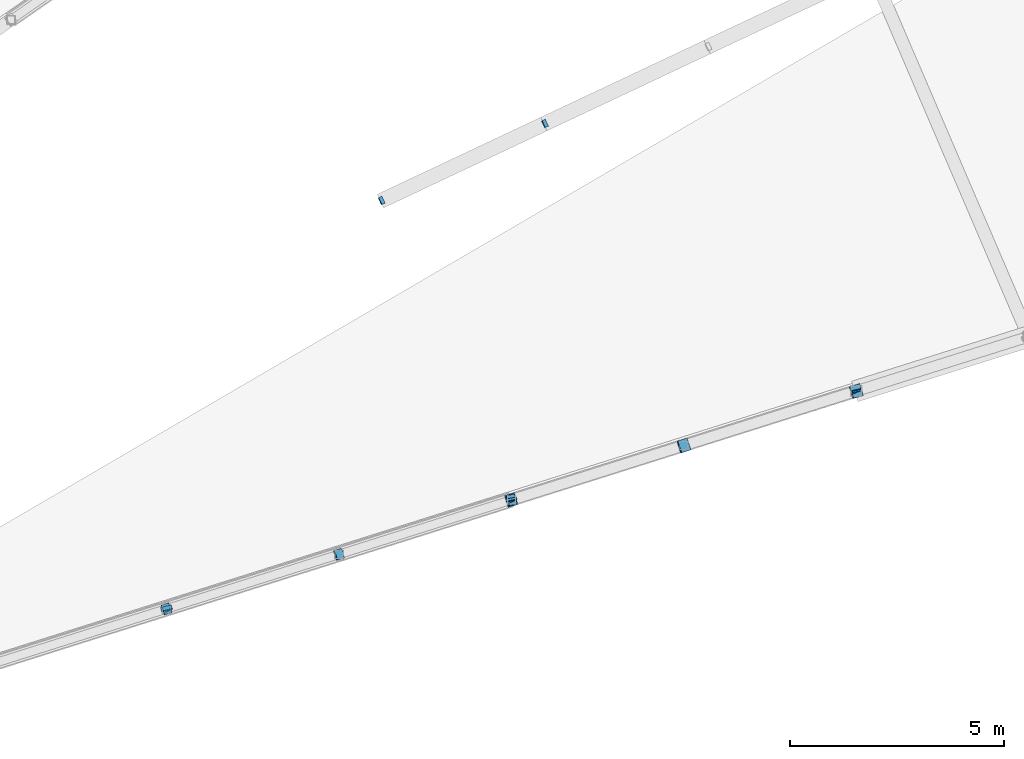
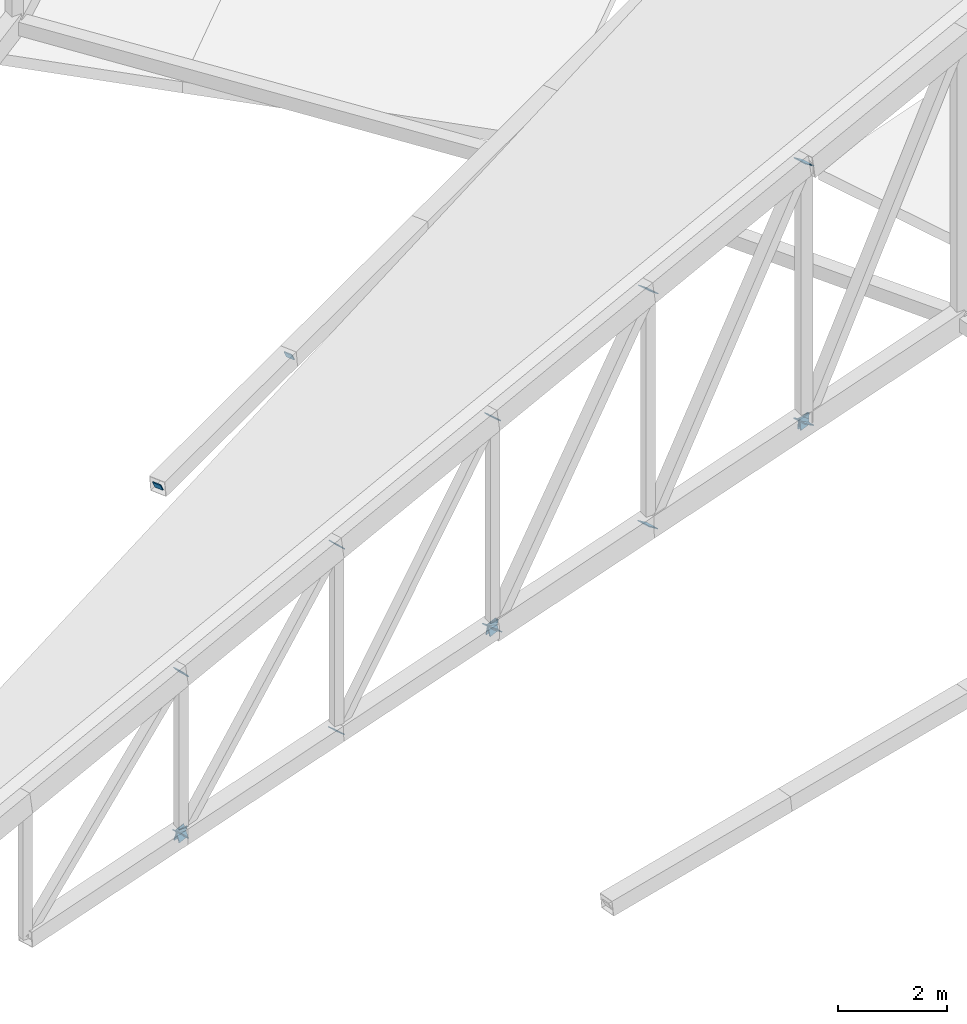
# One storey, part 181 of 188: 18 discrete accessories.
"""IFC4 building model written with IfcOpenShell, lengths in metres."""

import ifcopenshell
import ifcopenshell.guid

model = None  # the IFC model being written
_history = None  # IfcOwnerHistory: only IFC2X3 demands one
_inside = {}  # id of a spatial element -> (the spatial element, [elements in it])
_under = {}  # id of a project, library or spatial element -> (it, [spatial elements below it])
_declared = {}  # id of a project -> (the project, [libraries it declares])
_typed = {}  # id of a type object -> (the type object, [elements of that type])
_made_of = {}  # id of a material, layer set ... -> (it, [elements and type objects made of it])


def new_model(schema):
    """Start an empty IFC model of exactly this schema.

    Asked for "IFC4X3", IfcOpenShell would pick the latest addendum, in which some entities
    have other attributes; the version numbers below select the first issue.
    IFC2X3 requires an IfcOwnerHistory on every rooted entity: one is made here for all.
    """
    global model, _history
    if schema == "IFC4X3":
        model = ifcopenshell.file(schema_version=(4, 3, 0, 0))
    else:
        model = ifcopenshell.file(schema=schema)
    _inside.clear()
    _under.clear()
    _declared.clear()
    _typed.clear()
    _made_of.clear()
    _history = None
    if model.schema == "IFC2X3":
        org = make("IfcOrganization", Name="unknown")
        user = make(
            "IfcPersonAndOrganization",
            ThePerson=make("IfcPerson", FamilyName="unknown"),
            TheOrganization=org,
        )
        app = make(
            "IfcApplication",
            ApplicationDeveloper=org,
            Version="unknown",
            ApplicationFullName="unknown",
            ApplicationIdentifier="unknown",
        )
        _history = make(
            "IfcOwnerHistory",
            OwningUser=user,
            OwningApplication=app,
            ChangeAction="ADDED",
            CreationDate=0,
        )
    return model


def make(cls, **values):
    """One entity of the class cls with the attributes given. An attribute that is None is left unset."""
    return model.create_entity(
        cls, **{name: value for name, value in values.items() if value is not None}
    )


def rooted(cls, **values):
    """An entity with a GlobalId (a new one), such as an element, a storey or a relation."""
    return make(cls, GlobalId=ifcopenshell.guid.new(), OwnerHistory=_history, **values)


def si_unit(unit_type, name, prefix=None):
    """IfcSIUnit, for example si_unit("LENGTHUNIT", "METRE", prefix="MILLI")."""
    return make("IfcSIUnit", UnitType=unit_type, Prefix=prefix, Name=name)


def assignment(units):
    """IfcUnitAssignment: the units of a project."""
    return None if units is None else make("IfcUnitAssignment", Units=units)


def point(xyz):
    """IfcCartesianPoint."""
    return None if xyz is None else make("IfcCartesianPoint", Coordinates=xyz)


def direction(xyz):
    """IfcDirection."""
    return None if xyz is None else make("IfcDirection", DirectionRatios=xyz)


def frame(location, z_axis=None, x_axis=None):
    """IfcAxis2Placement3D, a coordinate frame: its origin and axes. An axis left out is left unset."""
    return make(
        "IfcAxis2Placement3D",
        Location=point(location),
        Axis=direction(z_axis),
        RefDirection=direction(x_axis),
    )


def frame_2d(location, x_axis=None):
    """IfcAxis2Placement2D, a coordinate frame in the plane: its origin and x axis."""
    return make(
        "IfcAxis2Placement2D", Location=point(location), RefDirection=direction(x_axis)
    )


def origin():
    """The frame at (0, 0, 0) with its axes left unset."""
    return frame((0.0, 0.0, 0.0))


def origin_2d():
    """The frame at (0, 0) in the plane with its x axis left unset."""
    return frame_2d((0.0, 0.0))


def place(relative_to, where):
    """IfcLocalPlacement: puts the frame where relative to a parent placement (None: the world)."""
    return make(
        "IfcLocalPlacement", PlacementRelTo=relative_to, RelativePlacement=where
    )


def context(
    kind, dimensions, precision=None, world=None, true_north=None, identifier=None
):
    """IfcGeometricRepresentationContext, for example the 3D "Model" context."""
    return make(
        "IfcGeometricRepresentationContext",
        ContextIdentifier=identifier,
        ContextType=kind,
        CoordinateSpaceDimension=dimensions,
        Precision=precision,
        WorldCoordinateSystem=world,
        TrueNorth=true_north,
    )


def subcontext(parent, identifier, kind, view, scale=None):
    """IfcGeometricRepresentationSubContext, for example "Body" below "Model"."""
    return make(
        "IfcGeometricRepresentationSubContext",
        ContextIdentifier=identifier,
        ContextType=kind,
        ParentContext=parent,
        TargetScale=scale,
        TargetView=view,
    )


def project(units=None, contexts=None):
    """IfcProject with its units and contexts."""
    return rooted(
        "IfcProject",
        Name="project",
        RepresentationContexts=contexts,
        UnitsInContext=assignment(units),
    )


def spatial(cls, under=None, at=None, **own):
    """A site, building, storey or space (cls), placed at a placement, below another one or the project."""
    s = rooted(cls, ObjectPlacement=at, **own)
    if under is not None:
        _under.setdefault(under.id(), (under, []))[1].append(s)
    return s


def profile(cls, at=None, kind="AREA", **sizes):
    """A parametric profile (cls). Its sizes go by their IFC names, for example OverallWidth=200.0."""
    return make(cls, ProfileType=kind, Position=at, **sizes)


def rectangle(**sizes):
    """IfcRectangleProfileDef."""
    return profile("IfcRectangleProfileDef", **sizes)


def extrude(swept, where, along, depth):
    """IfcExtrudedAreaSolid: the profile swept, set in the frame where, extruded along a direction by depth."""
    return make(
        "IfcExtrudedAreaSolid",
        SweptArea=swept,
        Position=where,
        ExtrudedDirection=direction(along),
        Depth=depth,
    )


def shape(context_of_items, identifier, shape_type, items):
    """IfcShapeRepresentation: the items that make up one representation, for example the "Body"."""
    return make(
        "IfcShapeRepresentation",
        ContextOfItems=context_of_items,
        RepresentationIdentifier=identifier,
        RepresentationType=shape_type,
        Items=items,
    )


def material(Name=None, Category=None):
    """IfcMaterial."""
    return make("IfcMaterial", Name=Name, Category=Category)


def material_profile(
    of_material, cross_section, Name=None, Category=None, Priority=None
):
    """IfcMaterialProfile: a cross section and its material."""
    return make(
        "IfcMaterialProfile",
        Name=Name,
        Material=of_material,
        Profile=cross_section,
        Priority=Priority,
        Category=Category,
    )


def profile_set(profiles, Name=None, composite=None):
    """IfcMaterialProfileSet."""
    return make(
        "IfcMaterialProfileSet",
        Name=Name,
        MaterialProfiles=profiles,
        CompositeProfile=composite,
    )


def made_of(thing, what):
    """Note that an element or type object is made of a material, layer set ...; save() writes the relation."""
    if what is not None:
        _made_of.setdefault(what.id(), (what, []))[1].append(thing)
    return thing


def type_object(cls, material=None, **own):
    """A type object (cls), such as IfcWallType, which elements share."""
    return made_of(rooted(cls, **own), material)


def element(
    cls,
    number,
    at=None,
    inside=None,
    cuts=None,
    type_object=None,
    material=None,
    context=None,
    identifier="Body",
    shape_type=None,
    held_by="IfcProductDefinitionShape",
    body=None,
    shapes=None,
    **own,
):
    """One element of the class cls, such as IfcWall. Its Tag is "e" and its number.

    at: its placement. inside: the storey or other place that contains it. cuts: it is an
    opening in that element (IfcRelVoidsElement). A single representation is given by context,
    identifier, shape_type and body (its items); several are given by shapes. held_by: the class
    of the entity that holds the representations. save() writes the other relations.
    """
    e = rooted(cls, Tag="e%d" % number, ObjectPlacement=at, **own)
    if body is not None:
        shapes = [shape(context, identifier, shape_type, body)]
    if shapes is not None:
        e.Representation = make(held_by, Representations=shapes)
    if inside is not None:
        _inside.setdefault(inside.id(), (inside, []))[1].append(e)
    if cuts is not None:
        rooted(
            "IfcRelVoidsElement", RelatingBuildingElement=cuts, RelatedOpeningElement=e
        )
    if type_object is not None:
        _typed.setdefault(type_object.id(), (type_object, []))[1].append(e)
    return made_of(e, material)


def aggregate(whole, parts):
    """IfcRelAggregates: a whole, such as a stair, and the parts it consists of."""
    return rooted("IfcRelAggregates", RelatingObject=whole, RelatedObjects=parts)


def save(model, path):
    """Write the relations noted so far, then the file.

    IfcRelAggregates (storeys below a building ...), IfcRelContainedInSpatialStructure (elements
    in a storey), IfcRelDefinesByType, IfcRelAssociatesMaterial and IfcRelDeclares: one each for
    every whole, place, type object, material and project.
    """
    for whole, parts in _under.values():
        aggregate(whole, parts)
    for where, things in _inside.values():
        rooted(
            "IfcRelContainedInSpatialStructure",
            RelatedElements=things,
            RelatingStructure=where,
        )
    for kind, things in _typed.values():
        rooted("IfcRelDefinesByType", RelatedObjects=things, RelatingType=kind)
    for what, things in _made_of.values():
        rooted("IfcRelAssociatesMaterial", RelatedObjects=things, RelatingMaterial=what)
    for by, libraries in _declared.values():
        rooted("IfcRelDeclares", RelatingContext=by, RelatedDefinitions=libraries)
    model.write(path)


model = new_model("IFC4")

# Units and contexts
model_context = context("Model", 3, precision=1e-05, world=origin(), true_north=direction((0.0, 1.0)))
body_context = subcontext(model_context, "Body", "Model", "MODEL_VIEW")
ifc_project = project(units=[si_unit("LENGTHUNIT", "METRE"), si_unit("AREAUNIT", "SQUARE_METRE"), si_unit("VOLUMEUNIT", "CUBIC_METRE"), si_unit("PLANEANGLEUNIT", "RADIAN"), si_unit("MASSUNIT", "GRAM", prefix="KILO")], contexts=[model_context])

# Site, building, storey
site_placement = place(None, origin())
site = spatial("IfcSite", under=ifc_project, at=site_placement, CompositionType="ELEMENT")
building_placement = place(site_placement, origin())
building = spatial("IfcBuilding", under=site, at=building_placement, Name="Meseta Stadium", CompositionType="ELEMENT")
storey_placement = place(building_placement, frame((0.0, 0.0, 30.0)))
storey = spatial("IfcBuildingStorey", under=building, at=storey_placement, Name="ROOF", CompositionType="ELEMENT", Elevation=30.0)

# Discrete accessories
ifc_material_1 = material(Name="Steel S355", Category="steel")
ifc_material_profile_1 = material_profile(ifc_material_1, rectangle(XDim=0.179931640625, YDim=0.179931640625, at=origin_2d()), Name="PL 180x180")
ifc_profile_set_1 = profile_set([ifc_material_profile_1], Name="Steel S355")
discrete_accessory_type_1 = type_object("IfcDiscreteAccessoryType", Name="End plate 180x180x20", PredefinedType="ANCHORPLATE", material=ifc_profile_set_1)
discrete_accessory_1_placement = place(storey_placement, frame((66.999755859375, 66.3642578125, 1.00439453125), z_axis=(0.802836314561, 0.382891165406, 0.456999132904), x_axis=(-0.430472524882, 0.902603681203, 0.0)))
element("IfcDiscreteAccessory", 1, at=discrete_accessory_1_placement, inside=storey, type_object=discrete_accessory_type_1, Name="End plate of ROOF TRUSS RT-11 diagonal", PredefinedType="ANCHORPLATE", context=body_context, shape_type="SweptSolid", body=[
    extrude(rectangle(XDim=0.179931640625, YDim=0.179931640625, at=origin_2d()), origin(), (0.0, 0.0, 1.0), 0.019775390625),
])
discrete_accessory_2_placement = place(storey_placement, frame((70.81494140625, 68.16162109375, 1.4912109375), z_axis=(0.802672654344, 0.377012913404, 0.462144861592), x_axis=(-0.425136471467, 0.905129261834, 0.0)))
element("IfcDiscreteAccessory", 2, at=discrete_accessory_2_placement, inside=storey, type_object=discrete_accessory_type_1, Name="End plate of ROOF TRUSS RT-11 diagonal", PredefinedType="ANCHORPLATE", context=body_context, shape_type="SweptSolid", body=[
    extrude(rectangle(XDim=0.179931640625, YDim=0.179931640625, at=origin_2d()), origin(), (0.0, 0.0, 1.0), 0.02001953125),
])
ifc_material_2 = material(Name="Steel S355", Category="steel")
ifc_material_profile_2 = material_profile(ifc_material_2, rectangle(XDim=0.239990234375, YDim=0.239990234375, at=origin_2d()), Name="PL 240x240")
ifc_profile_set_2 = profile_set([ifc_material_profile_2], Name="Steel S355")
discrete_accessory_type_2 = type_object("IfcDiscreteAccessoryType", Name="End plate 240x240x20", PredefinedType="ANCHORPLATE", material=ifc_profile_set_2)
for number, where, z_axis, x_axis, name in (
    (3, (61.988525390625, 56.83447265625, 4.376953125), (0.717699953217, 0.231123713748, 0.656877923283), (-0.306531366089, 0.951860557857, 0.0), "End plate of ROOF TRUSS RT-10 diagonal"),
    (4, (61.97509765625, 56.830322265625, 0.77001953125), (0.67303784003, 0.208029877827, 0.709748994941), (-0.295306270849, 0.955402640983, 0.0), "End plate of ROOF TRUSS RT-10 diagonal"),
    (5, (66.0146484375, 58.10595703125, 5.047607421875), (0.67303784003, 0.208029877827, 0.709748994941), (-0.295306270849, 0.955402640983, 0.0), "End plate of ROOF TRUSS RT-10 diagonal"),
    (6, (66.002197265625, 58.101806640625, 0.891845703125), (0.621489248699, 0.2071630829, 0.755535949399), (-0.316227766017, 0.948683298051, 0.0), "End plate of ROOF TRUSS RT-10 diagonal"),
    (7, (70.041015625, 59.377197265625, 5.71826171875), (0.63040723846, 0.193971457988, 0.751639399702), (-0.294085848838, 0.955779008722, 0.0), "End plate of ROOF TRUSS RT-10 diagonal"),
):
    element("IfcDiscreteAccessory", number, at=place(storey_placement, frame(where, z_axis=z_axis, x_axis=x_axis)), inside=storey, type_object=discrete_accessory_type_2, Name=name, PredefinedType="ANCHORPLATE", context=body_context, shape_type="SweptSolid", body=[
        extrude(rectangle(XDim=0.239990234375, YDim=0.239990234375, at=origin_2d()), origin(), (0.0, 0.0, 1.0), 0.02001953125),
    ])
ifc_material_3 = material(Name="Steel S355", Category="steel")
ifc_material_profile_3 = material_profile(ifc_material_3, rectangle(XDim=0.260009765625, YDim=0.260009765625, at=origin_2d()), Name="PL 260x260")
ifc_profile_set_3 = profile_set([ifc_material_profile_3], Name="Steel S355")
discrete_accessory_type_3 = type_object("IfcDiscreteAccessoryType", Name="End plate 260x260x20", PredefinedType="ANCHORPLATE", material=ifc_profile_set_3)
discrete_accessory_3_placement = place(storey_placement, frame((61.988525390625, 56.83447265625, 0.7841796875), z_axis=(-0.217818091633, 0.919676386895, 0.326727137449), x_axis=(-0.97308028749, -0.230466383879, 0.0)))
element("IfcDiscreteAccessory", 8, at=discrete_accessory_3_placement, inside=storey, type_object=discrete_accessory_type_3, Name="End plate of ROOF TRUSS STRUT RT-09/10", PredefinedType="ANCHORPLATE", context=body_context, shape_type="SweptSolid", body=[
    extrude(rectangle(XDim=0.260009765625, YDim=0.260009765625, at=origin_2d()), origin(), (0.0, 0.0, 1.0), 0.020263671875),
])
discrete_accessory_4_placement = place(storey_placement, frame((70.041015625, 59.377197265625, 1.029541015625), z_axis=(-0.220498180898, 0.955492117223, 0.19599838302), x_axis=(-0.974391195695, -0.224859506699, 0.0)))
element("IfcDiscreteAccessory", 9, at=discrete_accessory_4_placement, inside=storey, type_object=discrete_accessory_type_3, Name="End plate of ROOF TRUSS STRUT RT-09/10", PredefinedType="ANCHORPLATE", context=body_context, shape_type="SweptSolid", body=[
    extrude(rectangle(XDim=0.260009765625, YDim=0.260009765625, at=origin_2d()), origin(), (0.0, 0.0, 1.0), 0.02001953125),
])
discrete_accessory_5_placement = place(storey_placement, frame((78.093505859375, 61.919921875, 1.274658203125), z_axis=(-0.221079511147, 0.970293410033, 0.09825756051), x_axis=(-0.975011472973, -0.222154512829, 0.0)))
element("IfcDiscreteAccessory", 10, at=discrete_accessory_5_placement, inside=storey, type_object=discrete_accessory_type_3, Name="End plate of ROOF TRUSS STRUT RT-09/10", PredefinedType="ANCHORPLATE", context=body_context, shape_type="SweptSolid", body=[
    extrude(rectangle(XDim=0.260009765625, YDim=0.260009765625, at=origin_2d()), origin(), (0.0, 0.0, 1.0), 0.019775390625),
])
for number, where, z_axis, x_axis, name in (
    (11, (61.99609375, 56.8173828125, 0.791259765625), (-0.378668763996, 0.855058499345, -0.354238521157), (-0.914349389647, -0.404926158272, 0.0), "End plate of ROOF TRUSS STRUT RT-10/11"),
    (12, (70.048828125, 59.359375, 1.033935546875), (-0.391614974756, 0.893371661161, -0.2202834233), (-0.915869154004, -0.401476889427, 0.0), "End plate of ROOF TRUSS STRUT RT-10/11"),
    (13, (78.101318359375, 61.901611328125, 1.27685546875), (-0.390069906487, 0.914226343328, -0.109707161199), (-0.919778168081, -0.392438685048, 0.0), "End plate of ROOF TRUSS STRUT RT-10/11"),
):
    element("IfcDiscreteAccessory", number, at=place(storey_placement, frame(where, z_axis=z_axis, x_axis=x_axis)), inside=storey, type_object=discrete_accessory_type_3, Name=name, PredefinedType="ANCHORPLATE", context=body_context, shape_type="SweptSolid", body=[
        extrude(rectangle(XDim=0.260009765625, YDim=0.260009765625, at=origin_2d()), origin(), (0.0, 0.0, 1.0), 0.02001953125),
    ])
ifc_material_4 = material(Name="Steel S355", Category="steel")
ifc_material_profile_4 = material_profile(ifc_material_4, rectangle(XDim=0.2900390625, YDim=0.2900390625, at=origin_2d()), Name="PL 290x290")
ifc_profile_set_4 = profile_set([ifc_material_profile_4], Name="Steel S355")
discrete_accessory_type_4 = type_object("IfcDiscreteAccessoryType", Name="End plate 290x290x20", PredefinedType="ANCHORPLATE", material=ifc_profile_set_4)
for number, where, z_axis, x_axis, name in (
    (14, (70.029296875, 59.37353515625, 1.013671875), (0.584064364195, 0.182520113811, 0.79092049318), (-0.298274993136, 0.954479978035, 0.0), "End plate of ROOF TRUSS RT-10 diagonal"),
    (15, (74.0673828125, 60.6484375, 6.38916015625), (0.588348405415, 0.196116135138, 0.784464540553), (-0.316227766017, 0.948683298051, 0.0), "End plate of ROOF TRUSS RT-10 diagonal"),
    (16, (74.05615234375, 60.64501953125, 1.1357421875), (0.557790925053, 0.169762455451, 0.812434608229), (-0.291161615783, 0.956673880429, 0.0), "End plate of ROOF TRUSS RT-10 diagonal"),
    (17, (78.093505859375, 61.919921875, 7.059814453125), (0.557790925053, 0.169762455451, 0.812434608229), (-0.291161615783, 0.956673880429, 0.0), "End plate of ROOF TRUSS RT-10 diagonal"),
    (18, (78.0830078125, 61.91650390625, 1.2578125), (0.521221693783, 0.169700086348, 0.836378997001), (-0.309586047461, 0.950871431487, 0.0), "End plate of ROOF TRUSS RT-10 diagonal"),
):
    element("IfcDiscreteAccessory", number, at=place(storey_placement, frame(where, z_axis=z_axis, x_axis=x_axis)), inside=storey, type_object=discrete_accessory_type_4, Name=name, PredefinedType="ANCHORPLATE", context=body_context, shape_type="SweptSolid", body=[
        extrude(rectangle(XDim=0.2900390625, YDim=0.2900390625, at=origin_2d()), origin(), (0.0, 0.0, 1.0), 0.02001953125),
    ])

save(model, "model.ifc")
